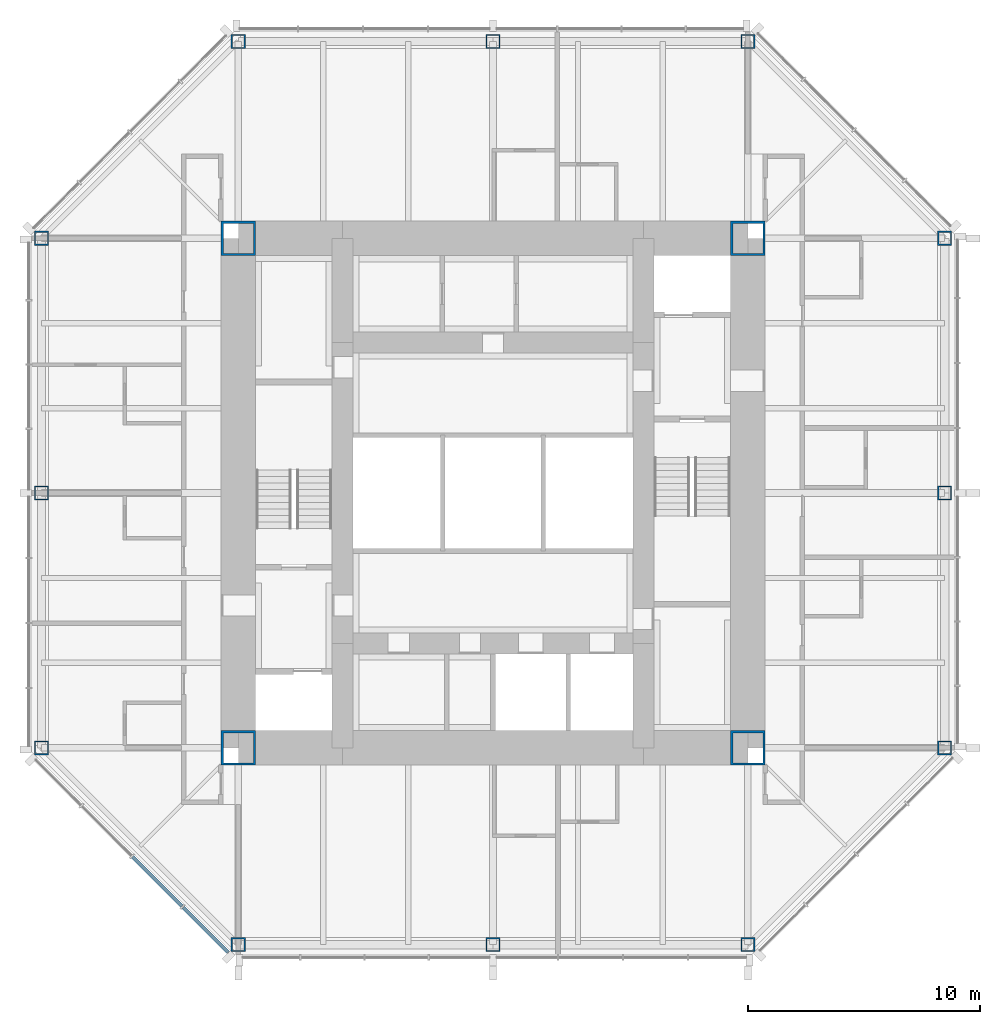
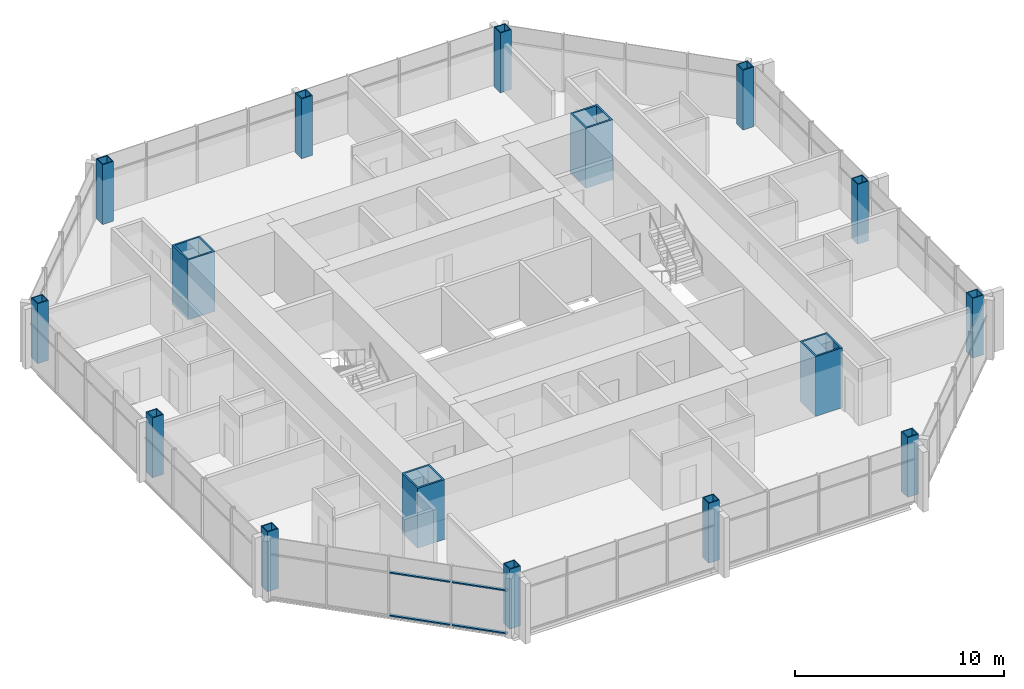
# One storey, part 1 of 11: 16 columns, 4 members, 1 element without a shape of its own.
"""IFC4 building model written with IfcOpenShell, lengths in metres."""

from ifc_helpers import new_model, si_unit, direction, frame, origin, origin_2d, place, context, subcontext, project, spatial, rectangle, hollow_rectangle, extrude, material, material_profile, profile_set, type_object, element, aggregate, save


model = new_model("IFC4")

# Units and contexts
model_context = context("Model", 3, precision=1e-05, world=origin(), true_north=direction((0.0, 1.0)))
body_context = subcontext(model_context, "Body", "Model", "MODEL_VIEW")
ifc_project = project(units=[si_unit("LENGTHUNIT", "METRE"), si_unit("AREAUNIT", "SQUARE_METRE"), si_unit("VOLUMEUNIT", "CUBIC_METRE"), si_unit("PLANEANGLEUNIT", "RADIAN"), si_unit("MASSUNIT", "GRAM", prefix="KILO")], contexts=[model_context])

# Site, building, storey
site_placement = place(None, origin())
site = spatial("IfcSite", under=ifc_project, at=site_placement, CompositionType="ELEMENT")
building_placement = place(site_placement, origin())
building = spatial("IfcBuilding", under=site, at=building_placement, Name="Trevanion Tower", CompositionType="ELEMENT")
storey_placement = place(building_placement, frame((0.0, 0.0, 246.699951171875)))
storey = spatial("IfcBuildingStorey", under=building, at=storey_placement, Name="L60", CompositionType="ELEMENT", Elevation=246.699951171875)

# Columns
ifc_material_1 = material(Name="Steel ASTM A572 Grade 50", Category="steel")
ifc_material_profile_1 = material_profile(ifc_material_1, hollow_rectangle(XDim=0.609619140625, YDim=0.609619140625, WallThickness=0.05078125, at=origin_2d()), Name="BOX24X24X2")
ifc_profile_set_1 = profile_set([ifc_material_profile_1], Name="Steel ASTM A572 Grade 50")
column_type_1 = type_object("IfcColumnType", Name="C5 BOX24X24X2", PredefinedType="COLUMN", material=ifc_profile_set_1)
for number, where, z_axis, x_axis, name in (
    (1, (-19.5, 0.0, 0.0), (0.0, 0.0, 1.0), (0.0, 1.0, 0.0), "C5 5/H L60"),
    (2, (-19.5, -11.0, 0.0), (0.0, 0.0, 1.0), (0.0, 1.0, 0.0), "C5 5/F L60"),
    (3, (-11.0, -19.5, 0.0), (0.0, 0.0, 1.0), (1.0, 0.0, 0.0), "C5 8/C L60"),
    (4, (0.0, -19.5, 0.0), (0.0, 0.0, 1.0), (1.0, 0.0, 0.0), "C5 10/C L60"),
    (5, (11.0, -19.5, 0.0), (0.0, 0.0, 1.0), (1.0, 0.0, 0.0), "C5 12/C L60"),
    (6, (19.5, -11.0, 0.0), (0.0, 0.0, 1.0), (0.0, 1.0, 0.0), "C5 15/F L60"),
    (7, (19.5, 0.0, 0.0), (0.0, 0.0, 1.0), (0.0, 1.0, 0.0), "C5 15/H L60"),
    (8, (19.5, 11.0, 0.0), (0.0, 0.0, 1.0), (0.0, 1.0, 0.0), "C5 15/K L60"),
    (9, (11.0, 19.5, 0.0), (0.0, 0.0, 1.0), (1.0, 0.0, 0.0), "C5 12/N L60"),
    (10, (0.0, 19.5, 0.0), (0.0, 0.0, 1.0), (1.0, 0.0, 0.0), "C5 10/N L60"),
    (11, (-11.0, 19.5, 0.0), (0.0, 0.0, 1.0), (1.0, 0.0, 0.0), "C5 8/N L60"),
    (12, (-19.5, 11.0, 0.0), (0.0, 0.0, 1.0), (0.0, 1.0, 0.0), "C5 5/K L60"),
):
    element("IfcColumn", number, at=place(storey_placement, frame(where, z_axis=z_axis, x_axis=x_axis)), inside=storey, type_object=column_type_1, Name=name, PredefinedType="COLUMN", context=body_context, shape_type="SweptSolid", body=[
        extrude(hollow_rectangle(XDim=0.609619140625, YDim=0.609619140625, WallThickness=0.05078125, at=origin_2d()), origin(), (0.0, 0.0, 1.0), 3.5),
    ])
ifc_material_2 = material(Name="Steel ASTM A572 Grade 50", Category="steel")
ifc_material_profile_2 = material_profile(ifc_material_2, hollow_rectangle(XDim=1.49853515625, YDim=1.49853515625, WallThickness=0.1015625, at=origin_2d()), Name="BOX59X59X4")
ifc_profile_set_2 = profile_set([ifc_material_profile_2], Name="Steel ASTM A572 Grade 50")
column_type_2 = type_object("IfcColumnType", Name="CB1 BOX59X59X4", PredefinedType="COLUMN", material=ifc_profile_set_2)
for number, where, z_axis, x_axis, name in (
    (13, (11.0, 11.0, 0.0), (0.0, 0.0, 1.0), (1.0, 0.0, 0.0), "CB1 NE L60"),
    (14, (-11.0, 11.0, 0.0), (0.0, 0.0, 1.0), (1.0, 0.0, 0.0), "CB1 NW L60"),
    (15, (-11.0, -11.0, 0.0), (0.0, 0.0, 1.0), (1.0, 0.0, 0.0), "CB1 SW L60"),
    (16, (11.0, -11.0, 0.0), (0.0, 0.0, 1.0), (1.0, 0.0, 0.0), "CB1 SE L60"),
):
    element("IfcColumn", number, at=place(storey_placement, frame(where, z_axis=z_axis, x_axis=x_axis)), inside=storey, type_object=column_type_2, Name=name, PredefinedType="COLUMN", context=body_context, shape_type="SweptSolid", body=[
        extrude(hollow_rectangle(XDim=1.49853515625, YDim=1.49853515625, WallThickness=0.1015625, at=origin_2d()), origin(), (0.0, 0.0, 1.0), 3.5),
    ])

# Curtain wall, members
ifc_material_3 = material(Name="Aluminium and glass", Category="aluminium")
curtain_wall_type = type_object("IfcCurtainWallType", Name="CW3 curtain wall", PredefinedType="USERDEFINED", material=ifc_material_3)
curtain_wall_placement = place(storey_placement, origin())
curtain_wall = element("IfcCurtainWall", 17, at=curtain_wall_placement, inside=storey, type_object=curtain_wall_type, Name="CW3 L60 5", ObjectType="UNITISED CURTAIN WALL", PredefinedType="USERDEFINED")
ifc_material_4 = material(Name="Aluminium extrusion, anodised bronze", Category="aluminium")
ifc_material_profile_3 = material_profile(ifc_material_4, rectangle(XDim=0.14990234375, YDim=0.074951171875, at=origin_2d()), Name="CW3 transom")
ifc_profile_set_3 = profile_set([ifc_material_profile_3], Name="Aluminium extrusion, anodised bronze")
member_type = type_object("IfcMemberType", Name="CW3 transom", PredefinedType="USERDEFINED", material=ifc_profile_set_3)
member_1_placement = place(storey_placement, frame((-15.56640625, -15.71142578125, -0.15234375), z_axis=(0.707106781187, -0.707106781187, 0.0), x_axis=(0.707106781187, 0.707106781187, 0.0)))
member_1 = element("IfcMember", 18, at=member_1_placement, type_object=member_type, Name="CW3 transom 3.1", ObjectType="TRANSOM", PredefinedType="USERDEFINED", context=body_context, shape_type="SweptSolid", body=[
    extrude(rectangle(XDim=0.14990234375, YDim=0.074951171875, at=origin_2d()), origin(), (0.0, 0.0, 1.0), 3.011474609375),
])
member_2_placement = place(storey_placement, frame((-15.56640625, -15.71142578125, 2.360107421875), z_axis=(0.707106781187, -0.707106781187, 0.0), x_axis=(0.707106781187, 0.707106781187, 0.0)))
member_2 = element("IfcMember", 19, at=member_2_placement, type_object=member_type, Name="CW3 transom 3.2", ObjectType="TRANSOM", PredefinedType="USERDEFINED", context=body_context, shape_type="SweptSolid", body=[
    extrude(rectangle(XDim=0.14990234375, YDim=0.074951171875, at=origin_2d()), origin(), (0.0, 0.0, 1.0), 3.011474609375),
])
member_3_placement = place(storey_placement, frame((-13.3837890625, -17.89404296875, -0.15234375), z_axis=(0.707106781187, -0.707106781187, 0.0), x_axis=(0.707106781187, 0.707106781187, 0.0)))
member_3 = element("IfcMember", 20, at=member_3_placement, type_object=member_type, Name="CW3 transom 4.1", ObjectType="TRANSOM", PredefinedType="USERDEFINED", context=body_context, shape_type="SweptSolid", body=[
    extrude(rectangle(XDim=0.14990234375, YDim=0.074951171875, at=origin_2d()), origin(), (0.0, 0.0, 1.0), 2.7490234375),
])
member_4_placement = place(storey_placement, frame((-13.3837890625, -17.89404296875, 2.360107421875), z_axis=(0.707106781187, -0.707106781187, 0.0), x_axis=(0.707106781187, 0.707106781187, 0.0)))
member_4 = element("IfcMember", 21, at=member_4_placement, type_object=member_type, Name="CW3 transom 4.2", ObjectType="TRANSOM", PredefinedType="USERDEFINED", context=body_context, shape_type="SweptSolid", body=[
    extrude(rectangle(XDim=0.14990234375, YDim=0.074951171875, at=origin_2d()), origin(), (0.0, 0.0, 1.0), 2.7490234375),
])
aggregate(curtain_wall, [member_1, member_2, member_3, member_4])

save(model, "model.ifc")
